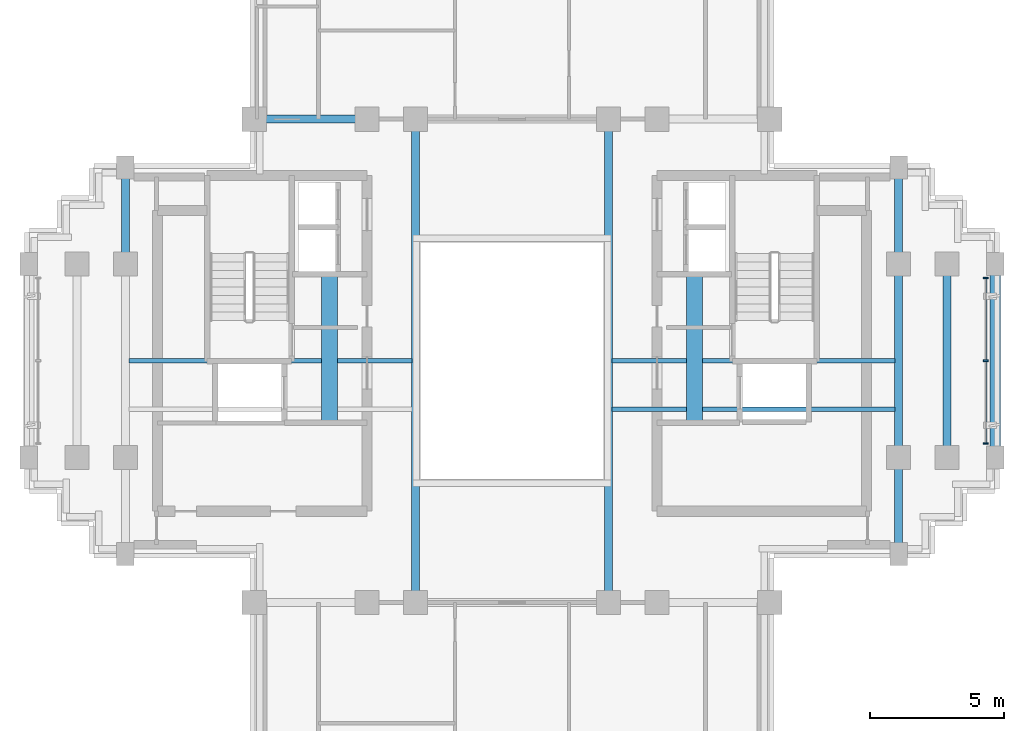
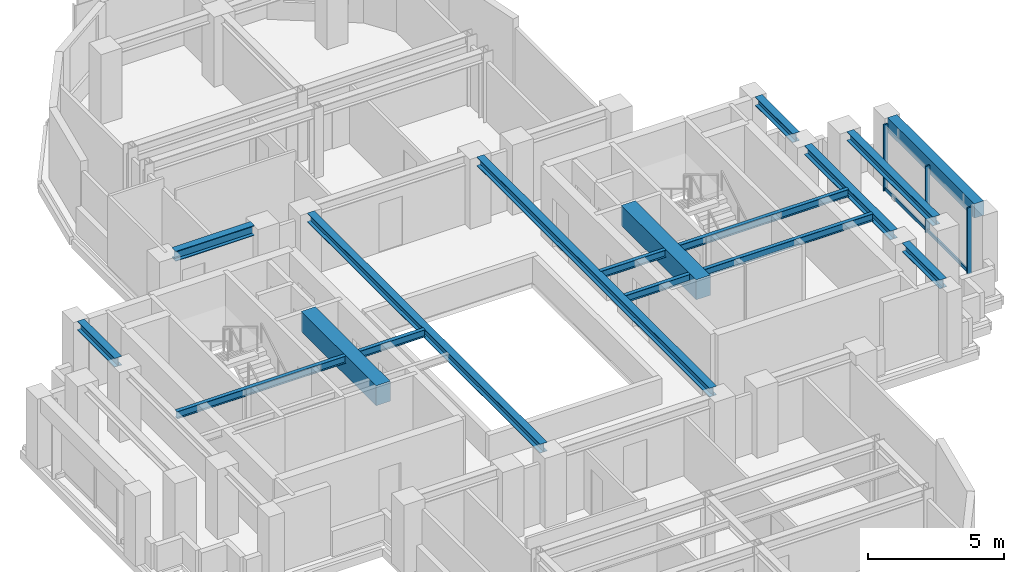
# One storey, part 3 of 11: 14 beams, 5 members, 1 element without a shape of its own.
"""IFC4 building model written with IfcOpenShell, lengths in metres."""

import ifcopenshell
import ifcopenshell.guid

model = None  # the IFC model being written
_history = None  # IfcOwnerHistory: only IFC2X3 demands one
_inside = {}  # id of a spatial element -> (the spatial element, [elements in it])
_under = {}  # id of a project, library or spatial element -> (it, [spatial elements below it])
_declared = {}  # id of a project -> (the project, [libraries it declares])
_typed = {}  # id of a type object -> (the type object, [elements of that type])
_made_of = {}  # id of a material, layer set ... -> (it, [elements and type objects made of it])


def new_model(schema):
    """Start an empty IFC model of exactly this schema.

    Asked for "IFC4X3", IfcOpenShell would pick the latest addendum, in which some entities
    have other attributes; the version numbers below select the first issue.
    IFC2X3 requires an IfcOwnerHistory on every rooted entity: one is made here for all.
    """
    global model, _history
    if schema == "IFC4X3":
        model = ifcopenshell.file(schema_version=(4, 3, 0, 0))
    else:
        model = ifcopenshell.file(schema=schema)
    _inside.clear()
    _under.clear()
    _declared.clear()
    _typed.clear()
    _made_of.clear()
    _history = None
    if model.schema == "IFC2X3":
        org = make("IfcOrganization", Name="unknown")
        user = make(
            "IfcPersonAndOrganization",
            ThePerson=make("IfcPerson", FamilyName="unknown"),
            TheOrganization=org,
        )
        app = make(
            "IfcApplication",
            ApplicationDeveloper=org,
            Version="unknown",
            ApplicationFullName="unknown",
            ApplicationIdentifier="unknown",
        )
        _history = make(
            "IfcOwnerHistory",
            OwningUser=user,
            OwningApplication=app,
            ChangeAction="ADDED",
            CreationDate=0,
        )
    return model


def make(cls, **values):
    """One entity of the class cls with the attributes given. An attribute that is None is left unset."""
    return model.create_entity(
        cls, **{name: value for name, value in values.items() if value is not None}
    )


def rooted(cls, **values):
    """An entity with a GlobalId (a new one), such as an element, a storey or a relation."""
    return make(cls, GlobalId=ifcopenshell.guid.new(), OwnerHistory=_history, **values)


def si_unit(unit_type, name, prefix=None):
    """IfcSIUnit, for example si_unit("LENGTHUNIT", "METRE", prefix="MILLI")."""
    return make("IfcSIUnit", UnitType=unit_type, Prefix=prefix, Name=name)


def assignment(units):
    """IfcUnitAssignment: the units of a project."""
    return None if units is None else make("IfcUnitAssignment", Units=units)


def point(xyz):
    """IfcCartesianPoint."""
    return None if xyz is None else make("IfcCartesianPoint", Coordinates=xyz)


def direction(xyz):
    """IfcDirection."""
    return None if xyz is None else make("IfcDirection", DirectionRatios=xyz)


def frame(location, z_axis=None, x_axis=None):
    """IfcAxis2Placement3D, a coordinate frame: its origin and axes. An axis left out is left unset."""
    return make(
        "IfcAxis2Placement3D",
        Location=point(location),
        Axis=direction(z_axis),
        RefDirection=direction(x_axis),
    )


def frame_2d(location, x_axis=None):
    """IfcAxis2Placement2D, a coordinate frame in the plane: its origin and x axis."""
    return make(
        "IfcAxis2Placement2D", Location=point(location), RefDirection=direction(x_axis)
    )


def origin():
    """The frame at (0, 0, 0) with its axes left unset."""
    return frame((0.0, 0.0, 0.0))


def origin_2d():
    """The frame at (0, 0) in the plane with its x axis left unset."""
    return frame_2d((0.0, 0.0))


def place(relative_to, where):
    """IfcLocalPlacement: puts the frame where relative to a parent placement (None: the world)."""
    return make(
        "IfcLocalPlacement", PlacementRelTo=relative_to, RelativePlacement=where
    )


def context(
    kind, dimensions, precision=None, world=None, true_north=None, identifier=None
):
    """IfcGeometricRepresentationContext, for example the 3D "Model" context."""
    return make(
        "IfcGeometricRepresentationContext",
        ContextIdentifier=identifier,
        ContextType=kind,
        CoordinateSpaceDimension=dimensions,
        Precision=precision,
        WorldCoordinateSystem=world,
        TrueNorth=true_north,
    )


def subcontext(parent, identifier, kind, view, scale=None):
    """IfcGeometricRepresentationSubContext, for example "Body" below "Model"."""
    return make(
        "IfcGeometricRepresentationSubContext",
        ContextIdentifier=identifier,
        ContextType=kind,
        ParentContext=parent,
        TargetScale=scale,
        TargetView=view,
    )


def project(units=None, contexts=None):
    """IfcProject with its units and contexts."""
    return rooted(
        "IfcProject",
        Name="project",
        RepresentationContexts=contexts,
        UnitsInContext=assignment(units),
    )


def spatial(cls, under=None, at=None, **own):
    """A site, building, storey or space (cls), placed at a placement, below another one or the project."""
    s = rooted(cls, ObjectPlacement=at, **own)
    if under is not None:
        _under.setdefault(under.id(), (under, []))[1].append(s)
    return s


def profile(cls, at=None, kind="AREA", **sizes):
    """A parametric profile (cls). Its sizes go by their IFC names, for example OverallWidth=200.0."""
    return make(cls, ProfileType=kind, Position=at, **sizes)


def rectangle(**sizes):
    """IfcRectangleProfileDef."""
    return profile("IfcRectangleProfileDef", **sizes)


def i_section(**sizes):
    """IfcIShapeProfileDef."""
    return profile("IfcIShapeProfileDef", **sizes)


def extrude(swept, where, along, depth):
    """IfcExtrudedAreaSolid: the profile swept, set in the frame where, extruded along a direction by depth."""
    return make(
        "IfcExtrudedAreaSolid",
        SweptArea=swept,
        Position=where,
        ExtrudedDirection=direction(along),
        Depth=depth,
    )


def shape(context_of_items, identifier, shape_type, items):
    """IfcShapeRepresentation: the items that make up one representation, for example the "Body"."""
    return make(
        "IfcShapeRepresentation",
        ContextOfItems=context_of_items,
        RepresentationIdentifier=identifier,
        RepresentationType=shape_type,
        Items=items,
    )


def source(mapping_origin, context_of_items, identifier, shape_type, items):
    """IfcRepresentationMap: a shape defined once, which mapped items show again and again."""
    return make(
        "IfcRepresentationMap",
        MappingOrigin=mapping_origin,
        MappedRepresentation=shape(context_of_items, identifier, shape_type, items),
    )


def transform(
    local_origin,
    x_axis=None,
    y_axis=None,
    z_axis=None,
    scale=None,
    scale2=None,
    scale3=None,
    uniform=True,
):
    """IfcCartesianTransformationOperator3D, or its non-uniform kind. x_axis, y_axis, z_axis: its Axis1, 2, 3."""
    if uniform:
        return make(
            "IfcCartesianTransformationOperator3D",
            Axis1=direction(x_axis),
            Axis2=direction(y_axis),
            LocalOrigin=point(local_origin),
            Scale=scale,
            Axis3=direction(z_axis),
        )
    return make(
        "IfcCartesianTransformationOperator3DnonUniform",
        Axis1=direction(x_axis),
        Axis2=direction(y_axis),
        LocalOrigin=point(local_origin),
        Scale=scale,
        Axis3=direction(z_axis),
        Scale2=scale2,
        Scale3=scale3,
    )


def mapped(mapping_source, mapping_target):
    """IfcMappedItem: shows the shape of a source again, moved by a transform."""
    return make(
        "IfcMappedItem", MappingSource=mapping_source, MappingTarget=mapping_target
    )


def material(Name=None, Category=None):
    """IfcMaterial."""
    return make("IfcMaterial", Name=Name, Category=Category)


def material_profile(
    of_material, cross_section, Name=None, Category=None, Priority=None
):
    """IfcMaterialProfile: a cross section and its material."""
    return make(
        "IfcMaterialProfile",
        Name=Name,
        Material=of_material,
        Profile=cross_section,
        Priority=Priority,
        Category=Category,
    )


def profile_set(profiles, Name=None, composite=None):
    """IfcMaterialProfileSet."""
    return make(
        "IfcMaterialProfileSet",
        Name=Name,
        MaterialProfiles=profiles,
        CompositeProfile=composite,
    )


def made_of(thing, what):
    """Note that an element or type object is made of a material, layer set ...; save() writes the relation."""
    if what is not None:
        _made_of.setdefault(what.id(), (what, []))[1].append(thing)
    return thing


def type_object(cls, material=None, **own):
    """A type object (cls), such as IfcWallType, which elements share."""
    return made_of(rooted(cls, **own), material)


def element(
    cls,
    number,
    at=None,
    inside=None,
    cuts=None,
    type_object=None,
    material=None,
    context=None,
    identifier="Body",
    shape_type=None,
    held_by="IfcProductDefinitionShape",
    body=None,
    shapes=None,
    **own,
):
    """One element of the class cls, such as IfcWall. Its Tag is "e" and its number.

    at: its placement. inside: the storey or other place that contains it. cuts: it is an
    opening in that element (IfcRelVoidsElement). A single representation is given by context,
    identifier, shape_type and body (its items); several are given by shapes. held_by: the class
    of the entity that holds the representations. save() writes the other relations.
    """
    e = rooted(cls, Tag="e%d" % number, ObjectPlacement=at, **own)
    if body is not None:
        shapes = [shape(context, identifier, shape_type, body)]
    if shapes is not None:
        e.Representation = make(held_by, Representations=shapes)
    if inside is not None:
        _inside.setdefault(inside.id(), (inside, []))[1].append(e)
    if cuts is not None:
        rooted(
            "IfcRelVoidsElement", RelatingBuildingElement=cuts, RelatedOpeningElement=e
        )
    if type_object is not None:
        _typed.setdefault(type_object.id(), (type_object, []))[1].append(e)
    return made_of(e, material)


def aggregate(whole, parts):
    """IfcRelAggregates: a whole, such as a stair, and the parts it consists of."""
    return rooted("IfcRelAggregates", RelatingObject=whole, RelatedObjects=parts)


def save(model, path):
    """Write the relations noted so far, then the file.

    IfcRelAggregates (storeys below a building ...), IfcRelContainedInSpatialStructure (elements
    in a storey), IfcRelDefinesByType, IfcRelAssociatesMaterial and IfcRelDeclares: one each for
    every whole, place, type object, material and project.
    """
    for whole, parts in _under.values():
        aggregate(whole, parts)
    for where, things in _inside.values():
        rooted(
            "IfcRelContainedInSpatialStructure",
            RelatedElements=things,
            RelatingStructure=where,
        )
    for kind, things in _typed.values():
        rooted("IfcRelDefinesByType", RelatedObjects=things, RelatingType=kind)
    for what, things in _made_of.values():
        rooted("IfcRelAssociatesMaterial", RelatedObjects=things, RelatingMaterial=what)
    for by, libraries in _declared.values():
        rooted("IfcRelDeclares", RelatingContext=by, RelatedDefinitions=libraries)
    model.write(path)


model = new_model("IFC4")

# Units and contexts
model_context = context("Model", 3, precision=1e-05, world=origin(), true_north=direction((0.0, 1.0)))
body_context = subcontext(model_context, "Body", "Model", "MODEL_VIEW")
ifc_project = project(units=[si_unit("LENGTHUNIT", "METRE"), si_unit("AREAUNIT", "SQUARE_METRE"), si_unit("VOLUMEUNIT", "CUBIC_METRE"), si_unit("PLANEANGLEUNIT", "RADIAN"), si_unit("MASSUNIT", "GRAM", prefix="KILO")], contexts=[model_context])

# Site, building, storey
site_placement = place(None, origin())
site = spatial("IfcSite", under=ifc_project, at=site_placement, CompositionType="ELEMENT")
building_placement = place(site_placement, origin())
building = spatial("IfcBuilding", under=site, at=building_placement, Name="Keilestroom Media Tower", CompositionType="ELEMENT")
storey_placement = place(building_placement, frame((0.0, 0.0, 211.39990234375)))
storey = spatial("IfcBuildingStorey", under=building, at=storey_placement, Name="L58", CompositionType="ELEMENT", Elevation=211.39990234375)

# Beams
ifc_material_1 = material(Name="Concrete C70/85", Category="concrete")
ifc_material_profile_1 = material_profile(ifc_material_1, rectangle(XDim=0.60009765625, YDim=0.89990234375, at=origin_2d()), Name="RC 600x900")
ifc_profile_set_1 = profile_set([ifc_material_profile_1], Name="Concrete C70/85")
beam_type_1 = type_object("IfcBeamType", Name="Core-Coupling-Lintel-Beam-RC-600x900", PredefinedType="LINTEL", material=ifc_profile_set_1)
shared_shape_1 = source(origin(), body_context, "Body", "SweptSolid", [
    extrude(rectangle(XDim=0.60009765625, YDim=0.89990234375, at=origin_2d()), origin(), (0.0, 0.0, 1.0), 5.52001953125),
])
for number, where, z_axis, x_axis, name in (
    (1, (-6.800048828125, -2.300048828125, 2.690185546875), (0.0, 1.0, 0.0), (-1.0, 0.0, 0.0), "L58 Beam CLB-1 CLB-L58-W"),
    (2, (6.800048828125, -2.300048828125, 2.690185546875), (0.0, 1.0, 0.0), (-1.0, 0.0, 0.0), "L58 Beam CLB-1 CLB-L58-E"),
):
    element("IfcBeam", number, at=place(storey_placement, frame(where, z_axis=z_axis, x_axis=x_axis)), inside=storey, type_object=beam_type_1, Name=name, PredefinedType="LINTEL", context=body_context, shape_type="MappedRepresentation", body=[
        mapped(shared_shape_1, transform((0.0, 0.0, 0.0), x_axis=(1.0, 0.0, 0.0), y_axis=(0.0, 1.0, 0.0), z_axis=(0.0, 0.0, 1.0), scale=1.0)),
    ])
ifc_material_2 = material(Name="Steel S355", Category="steel")
ifc_material_profile_2 = material_profile(ifc_material_2, i_section(OverallWidth=0.300048828125, OverallDepth=0.449951171875, WebThickness=0.011962890625, FlangeThickness=0.02587890625, at=origin_2d()), Name="HEB 450")
ifc_profile_set_2 = profile_set([ifc_material_profile_2], Name="Steel S355")
beam_type_2 = type_object("IfcBeamType", Name="Primary-Structural-Girder-HEB-450", PredefinedType="BEAM", material=ifc_profile_set_2)
shared_shape_2 = source(origin(), body_context, "Body", "SweptSolid", [
    extrude(i_section(OverallWidth=0.300048828125, OverallDepth=0.449951171875, WebThickness=0.011962890625, FlangeThickness=0.02587890625, at=origin_2d()), origin(), (0.0, 0.0, 1.0), 3.33984375),
])
beam_1_placement = place(storey_placement, frame((-9.169921875, 9.0, 2.9150390625), z_axis=(1.0, 0.0, 0.0), x_axis=(0.0, 1.0, 0.0)))
element("IfcBeam", 3, at=beam_1_placement, inside=storey, type_object=beam_type_2, Name="L58 Beam BG-7 BM-L58-EW-020", PredefinedType="BEAM", context=body_context, shape_type="MappedRepresentation", body=[
    mapped(shared_shape_2, transform((0.0, 0.0, 0.0), x_axis=(1.0, 0.0, 0.0), y_axis=(0.0, 1.0, 0.0), z_axis=(0.0, 0.0, 1.0), scale=1.0)),
])
ifc_material_3 = material(Name="Precast concrete C40/50", Category="concrete")
ifc_material_profile_3 = material_profile(ifc_material_3, rectangle(XDim=0.39990234375, YDim=0.64990234375, at=origin_2d()), Name="PC 400x650")
ifc_profile_set_3 = profile_set([ifc_material_profile_3], Name="Precast concrete C40/50")
beam_type_3 = type_object("IfcBeamType", Name="Perimeter-Spandrel-Beam-PC-400x650", PredefinedType="SPANDREL", material=ifc_profile_set_3)
shared_shape_3 = source(origin(), body_context, "Body", "SweptSolid", [
    extrude(rectangle(XDim=0.39990234375, YDim=0.64990234375, at=origin_2d()), origin(), (0.0, 0.0, 1.0), 6.39013671875),
])
beam_2_placement = place(storey_placement, frame((18.0, -3.195068359375, 2.815185546875), z_axis=(0.0, 1.0, 0.0), x_axis=(-1.0, 0.0, 0.0)))
element("IfcBeam", 4, at=beam_2_placement, inside=storey, type_object=beam_type_3, Name="L58 Beam SPB-2 BM-L58-NS-054", PredefinedType="SPANDREL", context=body_context, shape_type="MappedRepresentation", body=[
    mapped(shared_shape_3, transform((0.0, 0.0, 0.0), x_axis=(1.0, 0.0, 0.0), y_axis=(0.0, 1.0, 0.0), z_axis=(0.0, 0.0, 1.0), scale=1.0)),
])
ifc_material_profile_4 = material_profile(ifc_material_2, i_section(OverallWidth=0.300048828125, OverallDepth=0.39990234375, WebThickness=0.011474609375, FlangeThickness=0.02392578125, at=origin_2d()), Name="HEB 400")
ifc_profile_set_4 = profile_set([ifc_material_profile_4], Name="Steel S355")
beam_type_4 = type_object("IfcBeamType", Name="Primary-Structural-Girder-HEB-400", PredefinedType="BEAM", material=ifc_profile_set_4)
shared_shape_4 = source(origin(), body_context, "Body", "SweptSolid", [
    extrude(i_section(OverallWidth=0.300048828125, OverallDepth=0.39990234375, WebThickness=0.011474609375, FlangeThickness=0.02392578125, at=origin_2d()), origin(), (0.0, 0.0, 1.0), 6.33984375),
])
for number, where, z_axis, x_axis, name in (
    (5, (14.39990234375, -3.169921875, 2.940185546875), (0.0, 1.0, 0.0), (-1.0, 0.0, 0.0), "L58 Beam BG-8 BM-L58-NS-051"),
    (6, (16.199951171875, -3.169921875, 2.940185546875), (0.0, 1.0, 0.0), (-1.0, 0.0, 0.0), "L58 Beam BG-8 BM-L58-NS-053"),
):
    element("IfcBeam", number, at=place(storey_placement, frame(where, z_axis=z_axis, x_axis=x_axis)), inside=storey, type_object=beam_type_4, Name=name, PredefinedType="BEAM", context=body_context, shape_type="MappedRepresentation", body=[
        mapped(shared_shape_4, transform((0.0, 0.0, 0.0), x_axis=(1.0, 0.0, 0.0), y_axis=(0.0, 1.0, 0.0), z_axis=(0.0, 0.0, 1.0), scale=1.0)),
    ])
shared_shape_5 = source(origin(), body_context, "Body", "SweptSolid", [
    extrude(i_section(OverallWidth=0.300048828125, OverallDepth=0.39990234375, WebThickness=0.011474609375, FlangeThickness=0.02392578125, at=origin_2d()), origin(), (0.0, 0.0, 1.0), 2.764892578125),
])
for number, where, z_axis, x_axis, name in (
    (7, (-14.39990234375, 4.030029296875, 2.940185546875), (0.0, 1.0, 0.0), (-1.0, 0.0, 0.0), "L58 Beam BG-8 BM-L58-NS-035"),
    (8, (14.39990234375, -6.794921875, 2.940185546875), (0.0, 1.0, 0.0), (-1.0, 0.0, 0.0), "L58 Beam BG-8 BM-L58-NS-050"),
    (9, (14.39990234375, 4.030029296875, 2.940185546875), (0.0, 1.0, 0.0), (-1.0, 0.0, 0.0), "L58 Beam BG-8 BM-L58-NS-052"),
):
    element("IfcBeam", number, at=place(storey_placement, frame(where, z_axis=z_axis, x_axis=x_axis)), inside=storey, type_object=beam_type_4, Name=name, PredefinedType="BEAM", context=body_context, shape_type="MappedRepresentation", body=[
        mapped(shared_shape_5, transform((0.0, 0.0, 0.0), x_axis=(1.0, 0.0, 0.0), y_axis=(0.0, 1.0, 0.0), z_axis=(0.0, 0.0, 1.0), scale=1.0)),
    ])
shared_shape_6 = source(origin(), body_context, "Body", "SweptSolid", [
    extrude(i_section(OverallWidth=0.300048828125, OverallDepth=0.39990234375, WebThickness=0.011474609375, FlangeThickness=0.02392578125, at=origin_2d()), origin(), (0.0, 0.0, 1.0), 17.14013671875),
])
for number, where, z_axis, x_axis, name in (
    (10, (-3.60009765625, -8.570068359375, 2.940185546875), (0.0, 1.0, 0.0), (-1.0, 0.0, 0.0), "L58 Beam BG-8 BM-L58-NS-040"),
    (11, (3.60009765625, -8.570068359375, 2.940185546875), (0.0, 1.0, 0.0), (-1.0, 0.0, 0.0), "L58 Beam BG-8 BM-L58-NS-045"),
):
    element("IfcBeam", number, at=place(storey_placement, frame(where, z_axis=z_axis, x_axis=x_axis)), inside=storey, type_object=beam_type_4, Name=name, PredefinedType="BEAM", context=body_context, shape_type="MappedRepresentation", body=[
        mapped(shared_shape_6, transform((0.0, 0.0, 0.0), x_axis=(1.0, 0.0, 0.0), y_axis=(0.0, 1.0, 0.0), z_axis=(0.0, 0.0, 1.0), scale=1.0)),
    ])
ifc_material_profile_5 = material_profile(ifc_material_2, i_section(OverallWidth=0.159912109375, OverallDepth=0.330078125, WebThickness=0.007568359375, FlangeThickness=0.011474609375, at=origin_2d()), Name="IPE 330")
ifc_profile_set_5 = profile_set([ifc_material_profile_5], Name="Steel S355")
beam_type_5 = type_object("IfcBeamType", Name="Secondary-Floor-Joist-IPE-330", PredefinedType="JOIST", material=ifc_profile_set_5)
shared_shape_7 = source(origin(), body_context, "Body", "SweptSolid", [
    extrude(i_section(OverallWidth=0.159912109375, OverallDepth=0.330078125, WebThickness=0.007568359375, FlangeThickness=0.011474609375, at=origin_2d()), origin(), (0.0, 0.0, 1.0), 10.5400390625),
])
for number, where, z_axis, x_axis, name in (
    (12, (3.72998046875, -1.800048828125, 2.97509765625), (1.0, 0.0, 0.0), (0.0, 1.0, 0.0), "L58 Beam BJ-6 JST-L58-059"),
    (13, (-14.27001953125, 0.0, 2.97509765625), (1.0, 0.0, 0.0), (0.0, 1.0, 0.0), "L58 Beam BJ-6 JST-L58-060"),
    (14, (3.72998046875, 0.0, 2.97509765625), (1.0, 0.0, 0.0), (0.0, 1.0, 0.0), "L58 Beam BJ-6 JST-L58-062"),
):
    element("IfcBeam", number, at=place(storey_placement, frame(where, z_axis=z_axis, x_axis=x_axis)), inside=storey, type_object=beam_type_5, Name=name, PredefinedType="JOIST", context=body_context, shape_type="MappedRepresentation", body=[
        mapped(shared_shape_7, transform((0.0, 0.0, 0.0), x_axis=(1.0, 0.0, 0.0), y_axis=(0.0, 1.0, 0.0), z_axis=(0.0, 0.0, 1.0), scale=1.0)),
    ])

# Curtain wall, members
ifc_material_4 = material(Name="Anodised Aluminium Alloy", Category="aluminium")
curtain_wall_type = type_object("IfcCurtainWallType", Name="Unitised-Curtain-Wall-CW-3", PredefinedType="NOTDEFINED", material=ifc_material_4)
curtain_wall_placement = place(storey_placement, origin())
curtain_wall = element("IfcCurtainWall", 15, at=curtain_wall_placement, inside=storey, type_object=curtain_wall_type, Name="L58 Curtain Wall CW-3 CW-L58-E-1", PredefinedType="NOTDEFINED")
ifc_material_profile_6 = material_profile(ifc_material_4, rectangle(XDim=0.06494140625, YDim=0.179931640625, at=origin_2d()), Name="ALU MULLION 65x180")
ifc_profile_set_6 = profile_set([ifc_material_profile_6], Name="Anodised Aluminium Alloy")
member_type_1 = type_object("IfcMemberType", Name="Curtain-Wall-Mullion-CW-3", PredefinedType="MULLION", material=ifc_profile_set_6)
shared_shape_8 = source(origin(), body_context, "Body", "SweptSolid", [
    extrude(rectangle(XDim=0.06494140625, YDim=0.179931640625, at=origin_2d()), origin(), (0.0, 0.0, 1.0), 2.97998046875),
])
member_1_placement = place(storey_placement, frame((17.64990234375, -3.08251953125, 0.0), z_axis=(0.0, 0.0, 1.0), x_axis=(0.0, 1.0, 0.0)))
member_1 = element("IfcMember", 16, at=member_1_placement, type_object=member_type_1, Name="CW-3 Mullion 00", PredefinedType="MULLION", context=body_context, shape_type="MappedRepresentation", body=[
    mapped(shared_shape_8, transform((0.0, 0.0, 0.0), x_axis=(1.0, 0.0, 0.0), y_axis=(0.0, 1.0, 0.0), z_axis=(0.0, 0.0, 1.0), scale=1.0)),
])
member_2_placement = place(storey_placement, frame((17.64990234375, 0.0, 0.0), z_axis=(0.0, 0.0, 1.0), x_axis=(0.0, 1.0, 0.0)))
member_2 = element("IfcMember", 17, at=member_2_placement, type_object=member_type_1, Name="CW-3 Mullion 01", PredefinedType="MULLION", context=body_context, shape_type="MappedRepresentation", body=[
    mapped(shared_shape_8, transform((0.0, 0.0, 0.0), x_axis=(1.0, 0.0, 0.0), y_axis=(0.0, 1.0, 0.0), z_axis=(0.0, 0.0, 1.0), scale=1.0)),
])
member_3_placement = place(storey_placement, frame((17.64990234375, 3.08251953125, 0.0), z_axis=(0.0, 0.0, 1.0), x_axis=(0.0, 1.0, 0.0)))
member_3 = element("IfcMember", 18, at=member_3_placement, type_object=member_type_1, Name="CW-3 Mullion 02", PredefinedType="MULLION", context=body_context, shape_type="MappedRepresentation", body=[
    mapped(shared_shape_8, transform((0.0, 0.0, 0.0), x_axis=(1.0, 0.0, 0.0), y_axis=(0.0, 1.0, 0.0), z_axis=(0.0, 0.0, 1.0), scale=1.0)),
])
ifc_material_profile_7 = material_profile(ifc_material_4, rectangle(XDim=0.06494140625, YDim=0.14990234375, at=origin_2d()), Name="ALU TRANSOM 65x150")
ifc_profile_set_7 = profile_set([ifc_material_profile_7], Name="Anodised Aluminium Alloy")
member_type_2 = type_object("IfcMemberType", Name="Curtain-Wall-Transom-CW-3", PredefinedType="USERDEFINED", material=ifc_profile_set_7)
shared_shape_9 = source(origin(), body_context, "Body", "SweptSolid", [
    extrude(rectangle(XDim=0.06494140625, YDim=0.14990234375, at=origin_2d()), origin(), (0.0, 0.0, 1.0), 3.021484375),
])
member_4_placement = place(storey_placement, frame((17.64990234375, -3.052001953125, 0.0751953125), z_axis=(0.0, 1.0, 0.0), x_axis=(-1.0, 0.0, 0.0)))
member_4 = element("IfcMember", 19, at=member_4_placement, type_object=member_type_2, Name="CW-3 Transom 00.1", ObjectType="TRANSOM", PredefinedType="USERDEFINED", context=body_context, shape_type="MappedRepresentation", body=[
    mapped(shared_shape_9, transform((0.0, 0.0, 0.0), x_axis=(1.0, 0.0, 0.0), y_axis=(0.0, 1.0, 0.0), z_axis=(0.0, 0.0, 1.0), scale=1.0)),
])
member_5_placement = place(storey_placement, frame((17.64990234375, 0.030517578125, 0.0751953125), z_axis=(0.0, 1.0, 0.0), x_axis=(-1.0, 0.0, 0.0)))
member_5 = element("IfcMember", 20, at=member_5_placement, type_object=member_type_2, Name="CW-3 Transom 01.1", ObjectType="TRANSOM", PredefinedType="USERDEFINED", context=body_context, shape_type="MappedRepresentation", body=[
    mapped(shared_shape_9, transform((0.0, 0.0, 0.0), x_axis=(1.0, 0.0, 0.0), y_axis=(0.0, 1.0, 0.0), z_axis=(0.0, 0.0, 1.0), scale=1.0)),
])
aggregate(curtain_wall, [member_1, member_2, member_3, member_4, member_5])

save(model, "model.ifc")
